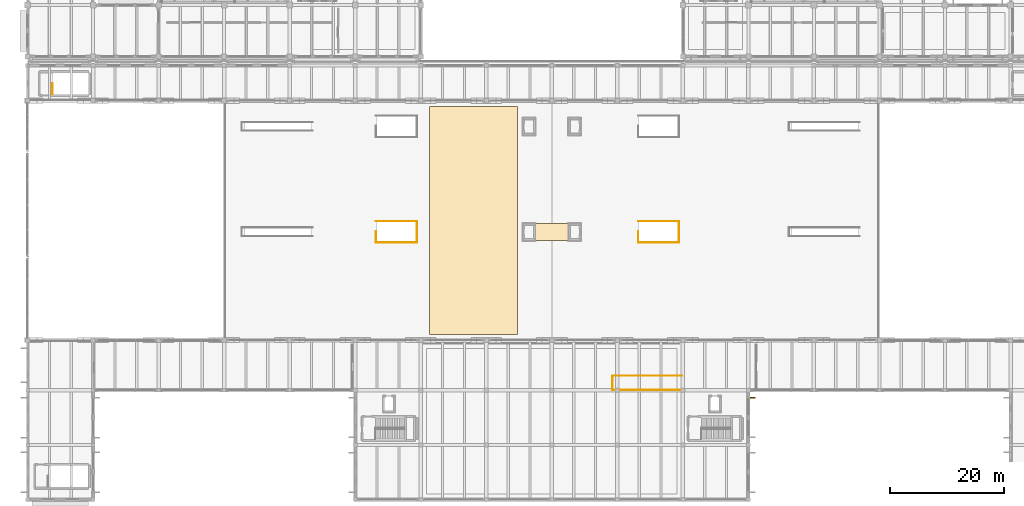
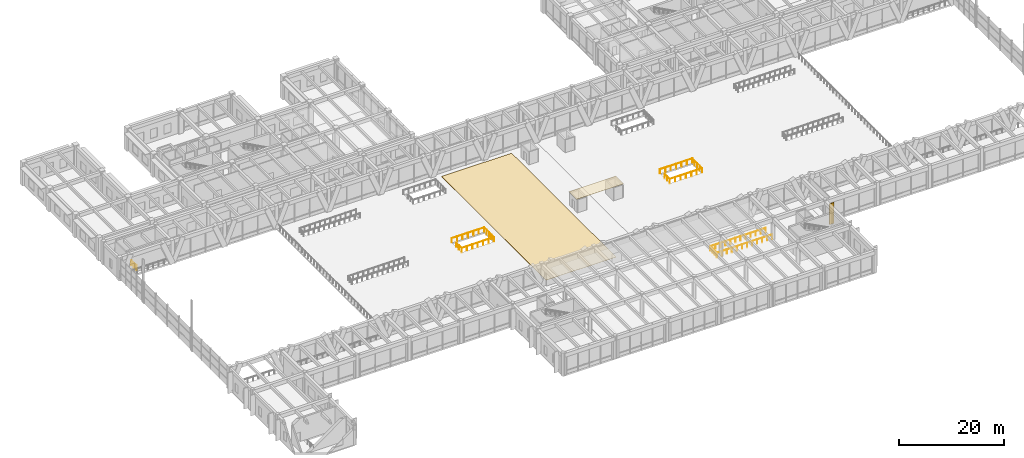
# One storey, part 143 of 148: 4 railings, 2 coverings, 1 shading device.
"""IFC4 building model written with IfcOpenShell, lengths in metres."""

from ifc_helpers import new_model, si_unit, direction, frame, origin, origin_2d, place, context, subcontext, project, spatial, polyline, rectangle, circle, outline, extrude, material, layer, layer_set, type_object, element, save


model = new_model("IFC4")

# Units and contexts
model_context = context("Model", 3, precision=1e-05, world=origin(), true_north=direction((0.0, 1.0)))
body_context = subcontext(model_context, "Body", "Model", "MODEL_VIEW")
ifc_project = project(units=[si_unit("LENGTHUNIT", "METRE"), si_unit("AREAUNIT", "SQUARE_METRE"), si_unit("VOLUMEUNIT", "CUBIC_METRE"), si_unit("PLANEANGLEUNIT", "RADIAN"), si_unit("MASSUNIT", "GRAM", prefix="KILO")], contexts=[model_context])

# Site, building, storey
site_placement = place(None, origin())
site = spatial("IfcSite", under=ifc_project, at=site_placement, CompositionType="ELEMENT")
building_placement = place(site_placement, origin())
building = spatial("IfcBuilding", under=site, at=building_placement, Name="Ologun Quay Terminus", CompositionType="ELEMENT")
storey_placement = place(building_placement, frame((0.0, 0.0, 8.39990234375)))
storey = spatial("IfcBuildingStorey", under=building, at=storey_placement, Name="L02", CompositionType="ELEMENT", Elevation=8.39990234375)

# Railing
ifc_material_1 = material(Name="Glass", Category="glass")
railing_type_1 = type_object("IfcRailingType", Name="Concourse & Atrium Glazed Balustrade 1150", PredefinedType="BALUSTRADE", material=ifc_material_1)
railing_1_placement = place(storey_placement, frame((114.85009765625, 27.25, 0.0)))
element("IfcRailing", 1, at=railing_1_placement, inside=storey, type_object=railing_type_1, Name="BL-GL Escalator Well Balustrade ESC-06", PredefinedType="BALUSTRADE", context=body_context, shape_type="SweptSolid", body=[
    extrude(circle(Radius=0.02392578125, at=origin_2d()), frame((0.0, 0.0, 1.1259765625), z_axis=(-1.0, 0.0, 0.0), x_axis=(0.0, -1.0, 0.0)), (0.0, 0.0, 1.0), 12.2001953125),
    extrude(circle(Radius=0.02392578125, at=origin_2d()), frame((-12.2001953125, 0.0, 1.1259765625), z_axis=(0.0, 1.0, 0.0), x_axis=(-1.0, 0.0, 0.0)), (0.0, 0.0, 1.0), 2.5),
    extrude(circle(Radius=0.02392578125, at=origin_2d()), frame((-12.2001953125, 2.5, 1.1259765625), z_axis=(1.0, 0.0, 0.0), x_axis=(0.0, 1.0, 0.0)), (0.0, 0.0, 1.0), 12.2001953125),
    extrude(circle(Radius=0.02099609375, at=origin_2d()), origin(), (0.0, 0.0, 1.0), 1.101806640625),
    extrude(circle(Radius=0.02099609375, at=origin_2d()), frame((-1.109130859375, 0.0, 0.0)), (0.0, 0.0, 1.0), 1.101806640625),
    extrude(circle(Radius=0.02099609375, at=origin_2d()), frame((-2.21826171875, 0.0, 0.0)), (0.0, 0.0, 1.0), 1.101806640625),
    extrude(circle(Radius=0.02099609375, at=origin_2d()), frame((-3.327392578125, 0.0, 0.0)), (0.0, 0.0, 1.0), 1.101806640625),
    extrude(circle(Radius=0.02099609375, at=origin_2d()), frame((-4.4365234375, 0.0, 0.0)), (0.0, 0.0, 1.0), 1.101806640625),
    extrude(circle(Radius=0.02099609375, at=origin_2d()), frame((-5.545654296875, 0.0, 0.0)), (0.0, 0.0, 1.0), 1.101806640625),
    extrude(circle(Radius=0.02099609375, at=origin_2d()), frame((-6.654541015625, 0.0, 0.0)), (0.0, 0.0, 1.0), 1.101806640625),
    extrude(circle(Radius=0.02099609375, at=origin_2d()), frame((-7.763671875, 0.0, 0.0)), (0.0, 0.0, 1.0), 1.101806640625),
    extrude(circle(Radius=0.02099609375, at=origin_2d()), frame((-8.872802734375, 0.0, 0.0)), (0.0, 0.0, 1.0), 1.101806640625),
    extrude(circle(Radius=0.02099609375, at=origin_2d()), frame((-9.98193359375, 0.0, 0.0)), (0.0, 0.0, 1.0), 1.101806640625),
    extrude(circle(Radius=0.02099609375, at=origin_2d()), frame((-11.091064453125, 0.0, 0.0)), (0.0, 0.0, 1.0), 1.101806640625),
    extrude(circle(Radius=0.02099609375, at=origin_2d()), frame((-12.2001953125, 0.0, 0.0)), (0.0, 0.0, 1.0), 1.101806640625),
    extrude(circle(Radius=0.02099609375, at=origin_2d()), frame((-12.2001953125, 0.833251953125, 0.0)), (0.0, 0.0, 1.0), 1.101806640625),
    extrude(circle(Radius=0.02099609375, at=origin_2d()), frame((-12.2001953125, 1.666748046875, 0.0)), (0.0, 0.0, 1.0), 1.101806640625),
    extrude(circle(Radius=0.02099609375, at=origin_2d()), frame((-12.2001953125, 2.5, 0.0)), (0.0, 0.0, 1.0), 1.101806640625),
    extrude(circle(Radius=0.02099609375, at=origin_2d()), frame((-11.091064453125, 2.5, 0.0)), (0.0, 0.0, 1.0), 1.101806640625),
    extrude(circle(Radius=0.02099609375, at=origin_2d()), frame((-9.98193359375, 2.5, 0.0)), (0.0, 0.0, 1.0), 1.101806640625),
    extrude(circle(Radius=0.02099609375, at=origin_2d()), frame((-8.872802734375, 2.5, 0.0)), (0.0, 0.0, 1.0), 1.101806640625),
    extrude(circle(Radius=0.02099609375, at=origin_2d()), frame((-7.763671875, 2.5, 0.0)), (0.0, 0.0, 1.0), 1.101806640625),
    extrude(circle(Radius=0.02099609375, at=origin_2d()), frame((-6.654541015625, 2.5, 0.0)), (0.0, 0.0, 1.0), 1.101806640625),
    extrude(circle(Radius=0.02099609375, at=origin_2d()), frame((-5.545654296875, 2.5, 0.0)), (0.0, 0.0, 1.0), 1.101806640625),
    extrude(circle(Radius=0.02099609375, at=origin_2d()), frame((-4.4365234375, 2.5, 0.0)), (0.0, 0.0, 1.0), 1.101806640625),
    extrude(circle(Radius=0.02099609375, at=origin_2d()), frame((-3.327392578125, 2.5, 0.0)), (0.0, 0.0, 1.0), 1.101806640625),
    extrude(circle(Radius=0.02099609375, at=origin_2d()), frame((-2.21826171875, 2.5, 0.0)), (0.0, 0.0, 1.0), 1.101806640625),
    extrude(circle(Radius=0.02099609375, at=origin_2d()), frame((-1.109130859375, 2.5, 0.0)), (0.0, 0.0, 1.0), 1.101806640625),
    extrude(circle(Radius=0.02099609375, at=origin_2d()), frame((0.0, 2.5, 0.0)), (0.0, 0.0, 1.0), 1.101806640625),
])

# Shading device
ifc_material_2 = material(Name="Concrete C40/50", Category="concrete")
ifc_layer_1 = layer(ifc_material_2, 0.179931640625)
ifc_layer_set_1 = layer_set([ifc_layer_1], Name="Concrete C40/50")
shading_device_type = type_object("IfcShadingDeviceType", Name="Sculpted Concrete Vertical Solar Fin 1050x180", PredefinedType="USERDEFINED", material=ifc_layer_set_1)
shading_device_placement = place(storey_placement, frame((127.155029296875, 25.85498046875, 0.14990234375), z_axis=(0.0, 0.0, 1.0), x_axis=(1.0, 0.0, 0.0)))
element("IfcShadingDevice", 2, at=shading_device_placement, inside=storey, type_object=shading_device_type, Name="SD-04 Vertical Solar Fin WEW-SA-L02-2-8-2", ObjectType="SOLAR FIN", PredefinedType="USERDEFINED", context=body_context, shape_type="SweptSolid", body=[
    extrude(rectangle(XDim=1.050048828125, YDim=0.179931640625, at=origin_2d()), origin(), (0.0, 0.0, 1.0), 4.840087890625),
])

# Railings
ifc_material_3 = material(Name="Steel S355", Category="steel")
railing_type_2 = type_object("IfcRailingType", Name="Stair & Landing Steel Guardrail 1100", PredefinedType="GUARDRAIL", material=ifc_material_3)
railing_2_placement = place(storey_placement, frame((4.360107421875, 81.090087890625, 0.0)))
element("IfcRailing", 3, at=railing_2_placement, inside=storey, type_object=railing_type_2, Name="GR-ST Stair Floor Edge Guard ST-NG1 L02", PredefinedType="GUARDRAIL", context=body_context, shape_type="SweptSolid", body=[
    extrude(circle(Radius=0.02392578125, at=origin_2d()), frame((0.0, 0.0, 1.076171875), z_axis=(0.0, -1.0, 0.0), x_axis=(1.0, 0.0, 0.0)), (0.0, 0.0, 1.0), 1.93017578125),
    extrude(circle(Radius=0.02099609375, at=origin_2d()), origin(), (0.0, 0.0, 1.0), 1.052001953125),
    extrude(circle(Radius=0.02099609375, at=origin_2d()), frame((0.0, -0.965087890625, 0.0)), (0.0, 0.0, 1.0), 1.052001953125),
    extrude(circle(Radius=0.02099609375, at=origin_2d()), frame((0.0, -1.93017578125, 0.0)), (0.0, 0.0, 1.0), 1.052001953125),
])
railing_3_placement = place(storey_placement, frame((61.159912109375, 55.10009765625, 0.0)))
element("IfcRailing", 4, at=railing_3_placement, inside=storey, type_object=railing_type_2, Name="GR-ST Platform Stair Well Guard ST-P1 L02", PredefinedType="GUARDRAIL", context=body_context, shape_type="SweptSolid", body=[
    extrude(circle(Radius=0.02392578125, at=origin_2d()), frame((0.0, 0.0, 1.076171875), z_axis=(0.0, -1.0, 0.0), x_axis=(1.0, 0.0, 0.0)), (0.0, 0.0, 1.0), 1.97998046875),
    extrude(circle(Radius=0.02392578125, at=origin_2d()), frame((0.0, -1.97998046875, 1.076171875), z_axis=(1.0, 0.0, 0.0), x_axis=(0.0, 1.0, 0.0)), (0.0, 0.0, 1.0), 7.16015625),
    extrude(circle(Radius=0.02392578125, at=origin_2d()), frame((7.16015625, -1.97998046875, 1.076171875), z_axis=(0.0, 1.0, 0.0), x_axis=(-1.0, 0.0, 0.0)), (0.0, 0.0, 1.0), 3.759765625),
    extrude(circle(Radius=0.02392578125, at=origin_2d()), frame((7.16015625, 1.77978515625, 1.076171875), z_axis=(-1.0, 0.0, 0.0), x_axis=(0.0, -1.0, 0.0)), (0.0, 0.0, 1.0), 7.16015625),
    extrude(circle(Radius=0.02099609375, at=origin_2d()), origin(), (0.0, 0.0, 1.0), 1.052001953125),
    extrude(circle(Radius=0.02099609375, at=origin_2d()), frame((0.0, -0.989990234375, 0.0)), (0.0, 0.0, 1.0), 1.052001953125),
    extrude(circle(Radius=0.02099609375, at=origin_2d()), frame((0.0, -1.97998046875, 0.0)), (0.0, 0.0, 1.0), 1.052001953125),
    extrude(circle(Radius=0.02099609375, at=origin_2d()), frame((1.193359375, -1.97998046875, 0.0)), (0.0, 0.0, 1.0), 1.052001953125),
    extrude(circle(Radius=0.02099609375, at=origin_2d()), frame((2.38671875, -1.97998046875, 0.0)), (0.0, 0.0, 1.0), 1.052001953125),
    extrude(circle(Radius=0.02099609375, at=origin_2d()), frame((3.580078125, -1.97998046875, 0.0)), (0.0, 0.0, 1.0), 1.052001953125),
    extrude(circle(Radius=0.02099609375, at=origin_2d()), frame((4.7734375, -1.97998046875, 0.0)), (0.0, 0.0, 1.0), 1.052001953125),
    extrude(circle(Radius=0.02099609375, at=origin_2d()), frame((5.966796875, -1.97998046875, 0.0)), (0.0, 0.0, 1.0), 1.052001953125),
    extrude(circle(Radius=0.02099609375, at=origin_2d()), frame((7.16015625, -1.97998046875, 0.0)), (0.0, 0.0, 1.0), 1.052001953125),
    extrude(circle(Radius=0.02099609375, at=origin_2d()), frame((7.16015625, -1.0400390625, 0.0)), (0.0, 0.0, 1.0), 1.052001953125),
    extrude(circle(Radius=0.02099609375, at=origin_2d()), frame((7.16015625, -0.10009765625, 0.0)), (0.0, 0.0, 1.0), 1.052001953125),
    extrude(circle(Radius=0.02099609375, at=origin_2d()), frame((7.16015625, 0.83984375, 0.0)), (0.0, 0.0, 1.0), 1.052001953125),
    extrude(circle(Radius=0.02099609375, at=origin_2d()), frame((7.16015625, 1.77978515625, 0.0)), (0.0, 0.0, 1.0), 1.052001953125),
    extrude(circle(Radius=0.02099609375, at=origin_2d()), frame((5.966796875, 1.77978515625, 0.0)), (0.0, 0.0, 1.0), 1.052001953125),
    extrude(circle(Radius=0.02099609375, at=origin_2d()), frame((4.7734375, 1.77978515625, 0.0)), (0.0, 0.0, 1.0), 1.052001953125),
    extrude(circle(Radius=0.02099609375, at=origin_2d()), frame((3.580078125, 1.77978515625, 0.0)), (0.0, 0.0, 1.0), 1.052001953125),
    extrude(circle(Radius=0.02099609375, at=origin_2d()), frame((2.38671875, 1.77978515625, 0.0)), (0.0, 0.0, 1.0), 1.052001953125),
    extrude(circle(Radius=0.02099609375, at=origin_2d()), frame((1.193359375, 1.77978515625, 0.0)), (0.0, 0.0, 1.0), 1.052001953125),
    extrude(circle(Radius=0.02099609375, at=origin_2d()), frame((0.0, 1.77978515625, 0.0)), (0.0, 0.0, 1.0), 1.052001953125),
])
railing_4_placement = place(storey_placement, frame((107.159912109375, 55.10009765625, 0.0)))
element("IfcRailing", 5, at=railing_4_placement, inside=storey, type_object=railing_type_2, Name="GR-ST Platform Stair Well Guard ST-P2 L02", PredefinedType="GUARDRAIL", context=body_context, shape_type="SweptSolid", body=[
    extrude(circle(Radius=0.02392578125, at=origin_2d()), frame((0.0, 0.0, 1.076171875), z_axis=(0.0, -1.0, 0.0), x_axis=(1.0, 0.0, 0.0)), (0.0, 0.0, 1.0), 1.97998046875),
    extrude(circle(Radius=0.02392578125, at=origin_2d()), frame((0.0, -1.97998046875, 1.076171875), z_axis=(1.0, 0.0, 0.0), x_axis=(0.0, 1.0, 0.0)), (0.0, 0.0, 1.0), 7.16015625),
    extrude(circle(Radius=0.02392578125, at=origin_2d()), frame((7.16015625, -1.97998046875, 1.076171875), z_axis=(0.0, 1.0, 0.0), x_axis=(-1.0, 0.0, 0.0)), (0.0, 0.0, 1.0), 3.759765625),
    extrude(circle(Radius=0.02392578125, at=origin_2d()), frame((7.16015625, 1.77978515625, 1.076171875), z_axis=(-1.0, 0.0, 0.0), x_axis=(0.0, -1.0, 0.0)), (0.0, 0.0, 1.0), 7.16015625),
    extrude(circle(Radius=0.02099609375, at=origin_2d()), origin(), (0.0, 0.0, 1.0), 1.052001953125),
    extrude(circle(Radius=0.02099609375, at=origin_2d()), frame((0.0, -0.989990234375, 0.0)), (0.0, 0.0, 1.0), 1.052001953125),
    extrude(circle(Radius=0.02099609375, at=origin_2d()), frame((0.0, -1.97998046875, 0.0)), (0.0, 0.0, 1.0), 1.052001953125),
    extrude(circle(Radius=0.02099609375, at=origin_2d()), frame((1.193359375, -1.97998046875, 0.0)), (0.0, 0.0, 1.0), 1.052001953125),
    extrude(circle(Radius=0.02099609375, at=origin_2d()), frame((2.38671875, -1.97998046875, 0.0)), (0.0, 0.0, 1.0), 1.052001953125),
    extrude(circle(Radius=0.02099609375, at=origin_2d()), frame((3.580078125, -1.97998046875, 0.0)), (0.0, 0.0, 1.0), 1.052001953125),
    extrude(circle(Radius=0.02099609375, at=origin_2d()), frame((4.7734375, -1.97998046875, 0.0)), (0.0, 0.0, 1.0), 1.052001953125),
    extrude(circle(Radius=0.02099609375, at=origin_2d()), frame((5.966796875, -1.97998046875, 0.0)), (0.0, 0.0, 1.0), 1.052001953125),
    extrude(circle(Radius=0.02099609375, at=origin_2d()), frame((7.16015625, -1.97998046875, 0.0)), (0.0, 0.0, 1.0), 1.052001953125),
    extrude(circle(Radius=0.02099609375, at=origin_2d()), frame((7.16015625, -1.0400390625, 0.0)), (0.0, 0.0, 1.0), 1.052001953125),
    extrude(circle(Radius=0.02099609375, at=origin_2d()), frame((7.16015625, -0.10009765625, 0.0)), (0.0, 0.0, 1.0), 1.052001953125),
    extrude(circle(Radius=0.02099609375, at=origin_2d()), frame((7.16015625, 0.83984375, 0.0)), (0.0, 0.0, 1.0), 1.052001953125),
    extrude(circle(Radius=0.02099609375, at=origin_2d()), frame((7.16015625, 1.77978515625, 0.0)), (0.0, 0.0, 1.0), 1.052001953125),
    extrude(circle(Radius=0.02099609375, at=origin_2d()), frame((5.966796875, 1.77978515625, 0.0)), (0.0, 0.0, 1.0), 1.052001953125),
    extrude(circle(Radius=0.02099609375, at=origin_2d()), frame((4.7734375, 1.77978515625, 0.0)), (0.0, 0.0, 1.0), 1.052001953125),
    extrude(circle(Radius=0.02099609375, at=origin_2d()), frame((3.580078125, 1.77978515625, 0.0)), (0.0, 0.0, 1.0), 1.052001953125),
    extrude(circle(Radius=0.02099609375, at=origin_2d()), frame((2.38671875, 1.77978515625, 0.0)), (0.0, 0.0, 1.0), 1.052001953125),
    extrude(circle(Radius=0.02099609375, at=origin_2d()), frame((1.193359375, 1.77978515625, 0.0)), (0.0, 0.0, 1.0), 1.052001953125),
    extrude(circle(Radius=0.02099609375, at=origin_2d()), frame((0.0, 1.77978515625, 0.0)), (0.0, 0.0, 1.0), 1.052001953125),
])

# Coverings
ifc_material_4 = material(Name="Precast Concrete C40/50", Category="concrete")
ifc_layer_2 = layer(ifc_material_4, 0.0400390625)
ifc_layer_set_2 = layer_set([ifc_layer_2], Name="Precast Concrete C40/50")
covering_type_1 = type_object("IfcCoveringType", Name="Terrazzo Station Concourse Flooring 40", PredefinedType="FLOORING", material=ifc_layer_set_2)
covering_1_placement = place(storey_placement, origin())
element("IfcCovering", 6, at=covering_1_placement, inside=storey, type_object=covering_type_1, Name="CV-FL1 Interior Flooring 7", PredefinedType="FLOORING", context=body_context, shape_type="SweptSolid", body=[
    extrude(outline(polyline([(70.5, 37.0), (86.0, 37.0), (86.0, 77.0), (70.5, 77.0), (70.5, 37.0)])), origin(), (0.0, 0.0, 1.0), 0.0400390625),
])
ifc_material_5 = material(Name="Waterproof Membrane")
ifc_layer_3 = layer(ifc_material_5, 0.01806640625)
ifc_layer_set_3 = layer_set([ifc_layer_3], Name="Waterproof Membrane")
covering_type_2 = type_object("IfcCoveringType", Name="Two-Ply Polymeric Waterproof Roof Membrane 18", PredefinedType="ROOFING", material=ifc_layer_set_3)
covering_2_placement = place(storey_placement, frame((0.0, 0.0, 3.2001953125)))
element("IfcCovering", 7, at=covering_2_placement, inside=storey, type_object=covering_type_2, Name="CV-RFM Terrace Waterproof Membrane 5", PredefinedType="ROOFING", context=body_context, shape_type="SweptSolid", body=[
    extrude(outline(polyline([(86.800048828125, 53.5), (97.199951171875, 53.5), (97.199951171875, 56.5), (86.800048828125, 56.5), (86.800048828125, 53.5)])), origin(), (0.0, 0.0, 1.0), 0.017822265625),
])

save(model, "model.ifc")
